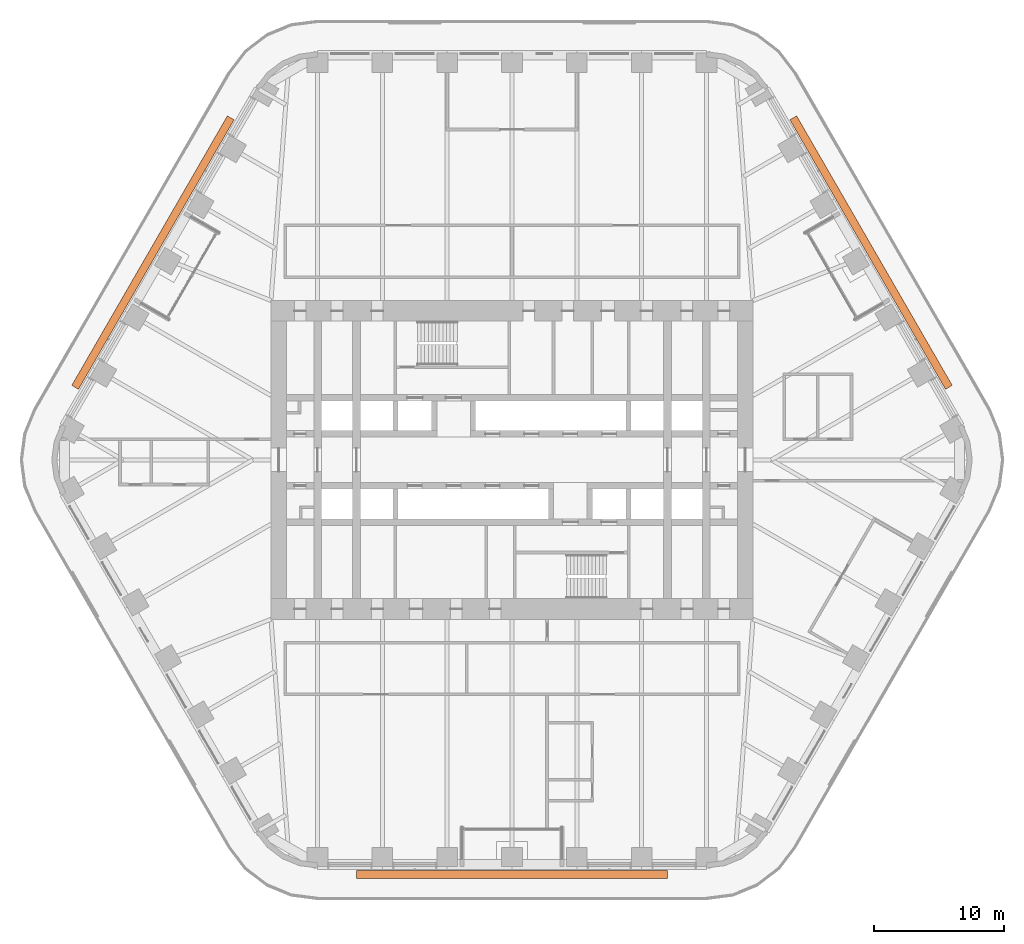
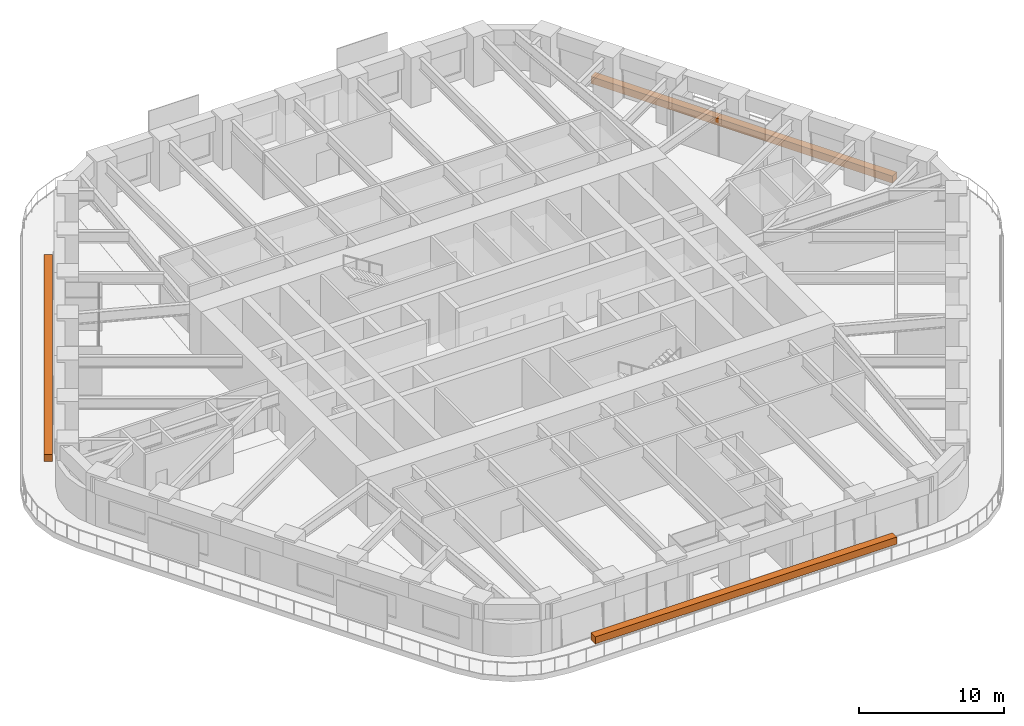
# One storey, part 24 of 24: 3 proxies.
"""IFC4 building model written with IfcOpenShell, lengths in metres."""

from ifc_helpers import new_model, si_unit, direction, frame, origin, origin_2d, place, context, subcontext, project, spatial, rectangle, extrude, material, element, save


model = new_model("IFC4")

# Units and contexts
model_context = context("Model", 3, precision=1e-05, world=origin(), true_north=direction((0.0, 1.0)))
body_context = subcontext(model_context, "Body", "Model", "MODEL_VIEW")
ifc_project = project(units=[si_unit("LENGTHUNIT", "METRE"), si_unit("AREAUNIT", "SQUARE_METRE"), si_unit("VOLUMEUNIT", "CUBIC_METRE"), si_unit("PLANEANGLEUNIT", "RADIAN"), si_unit("MASSUNIT", "GRAM", prefix="KILO")], contexts=[model_context])

# Site, building, storey
site_placement = place(None, origin())
site = spatial("IfcSite", under=ifc_project, at=site_placement, CompositionType="ELEMENT")
building_placement = place(site_placement, origin())
building = spatial("IfcBuilding", under=site, at=building_placement, Name="Tarfa Lantern Tower", CompositionType="ELEMENT")
storey_placement = place(building_placement, frame((0.0, 0.0, 157.300048828125)))
storey = spatial("IfcBuildingStorey", under=building, at=storey_placement, Name="L35", CompositionType="ELEMENT", Elevation=157.300048828125)

# Proxies
ifc_material = material(Name="Planting bed")
for number, where, z_axis, x_axis, name in (
    (1, (27.712890625, 16.0, 0.0), (0.0, 0.0, 1.0), (-0.5, 0.866025403784, 0.0), "Balcony planter"),
    (2, (-27.712890625, 16.0, 0.0), (0.0, 0.0, 1.0), (-0.5, -0.866025403784, 0.0), "Balcony planter"),
    (3, (0.0, -32.0, 0.0), (0.0, 0.0, 1.0), (1.0, 0.0, 0.0), "Balcony planter"),
):
    element("IfcBuildingElementProxy", number, at=place(storey_placement, frame(where, z_axis=z_axis, x_axis=x_axis)), inside=storey, material=ifc_material, Name=name, ObjectType="PLANTER", PredefinedType="USERDEFINED", context=body_context, shape_type="SweptSolid", body=[
        extrude(rectangle(XDim=24.017822265625, YDim=0.60009765625, at=origin_2d()), origin(), (0.0, 0.0, 1.0), 0.60009765625),
    ])

save(model, "model.ifc")
